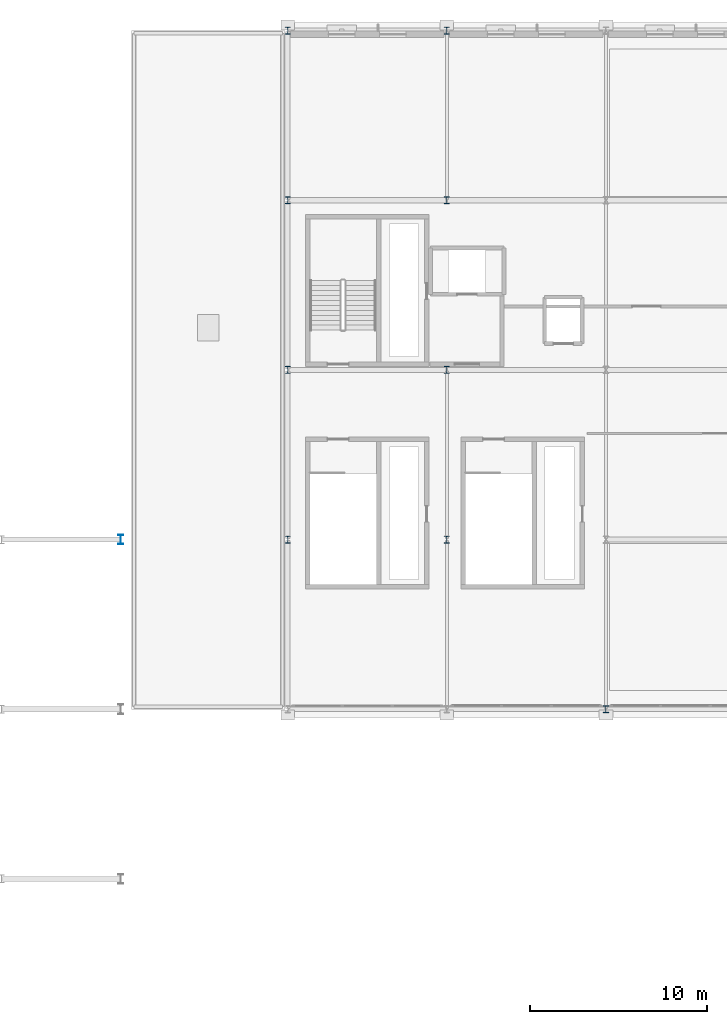
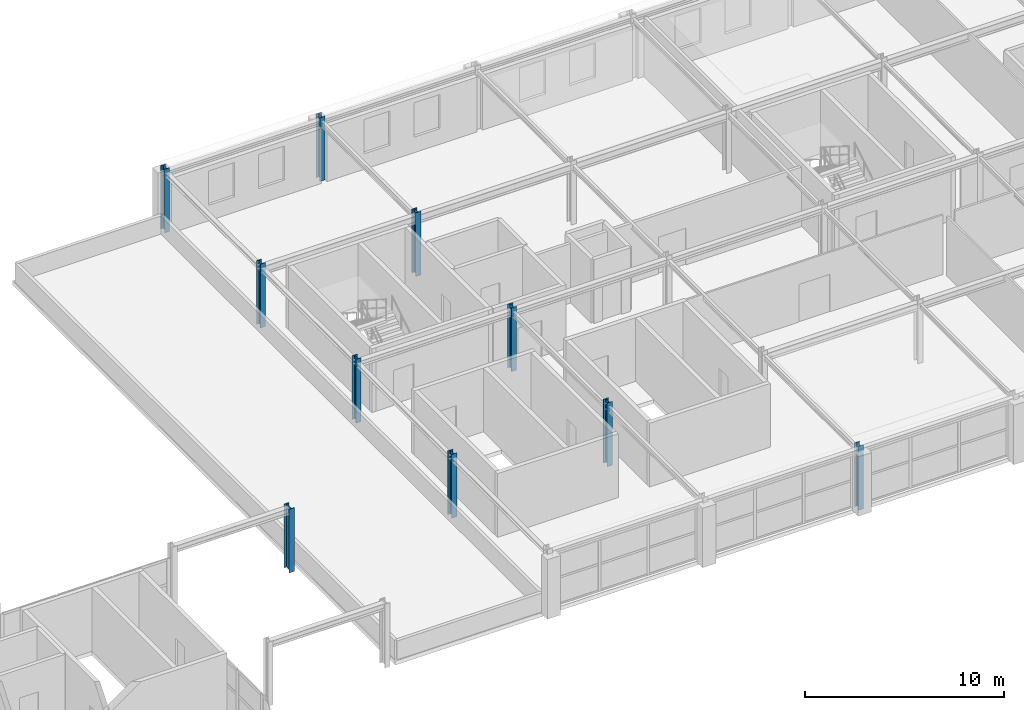
# One storey, part 10 of 52: 10 columns.
"""IFC4 building model written with IfcOpenShell, lengths in metres."""

from ifc_helpers import new_model, si_unit, direction, frame, origin, origin_2d, place, context, subcontext, project, spatial, i_section, extrude, material, material_profile, profile_set, type_object, element, save


model = new_model("IFC4")

# Units and contexts
model_context = context("Model", 3, precision=1e-05, world=origin(), true_north=direction((0.0, 1.0)))
body_context = subcontext(model_context, "Body", "Model", "MODEL_VIEW")
ifc_project = project(units=[si_unit("LENGTHUNIT", "METRE"), si_unit("AREAUNIT", "SQUARE_METRE"), si_unit("VOLUMEUNIT", "CUBIC_METRE"), si_unit("PLANEANGLEUNIT", "RADIAN"), si_unit("MASSUNIT", "GRAM", prefix="KILO")], contexts=[model_context])

# Site, building, storey
site_placement = place(None, origin())
site = spatial("IfcSite", under=ifc_project, at=site_placement, CompositionType="ELEMENT")
building_placement = place(site_placement, origin())
building = spatial("IfcBuilding", under=site, at=building_placement, Name="Myrtia Square Station", CompositionType="ELEMENT")
storey_placement = place(building_placement, frame((0.0, 0.0, 15.0)))
storey = spatial("IfcBuildingStorey", under=building, at=storey_placement, Name="L03", CompositionType="ELEMENT", Elevation=15.0)

# Columns
ifc_material = material(Name="Steel S355", Category="steel")
ifc_material_profile_1 = material_profile(ifc_material, i_section(OverallWidth=0.300048828125, OverallDepth=0.5400390625, WebThickness=0.012451171875, FlangeThickness=0.02392578125, FilletRadius=0.027099609375, at=origin_2d()), Name="HEA 550")
ifc_profile_set_1 = profile_set([ifc_material_profile_1], Name="Steel S355")
column_type_1 = type_object("IfcColumnType", Name="COL-HEA550", PredefinedType="COLUMN", material=ifc_profile_set_1)
column_placement = place(storey_placement, frame((116.550048828125, 96.0, 0.0), z_axis=(0.0, 0.0, 1.0), x_axis=(1.0, 0.0, 0.0)))
element("IfcColumn", 1, at=column_placement, inside=storey, type_object=column_type_1, Name="Column L03-0404", PredefinedType="COLUMN", context=body_context, shape_type="SweptSolid", body=[
    extrude(i_section(OverallWidth=0.300048828125, OverallDepth=0.5400390625, WebThickness=0.012451171875, FlangeThickness=0.02392578125, FilletRadius=0.027099609375, at=origin_2d()), origin(), (0.0, 0.0, 1.0), 3.89990234375),
])
ifc_material_profile_2 = material_profile(ifc_material, i_section(OverallWidth=0.300048828125, OverallDepth=0.39990234375, WebThickness=0.013427734375, FlangeThickness=0.02392578125, FilletRadius=0.027099609375, at=origin_2d()), Name="HEB 400")
ifc_profile_set_2 = profile_set([ifc_material_profile_2], Name="Steel S355")
column_type_2 = type_object("IfcColumnType", Name="COL-HEB400", PredefinedType="COLUMN", material=ifc_profile_set_2)
for number, where, z_axis, x_axis, name in (
    (2, (126.0, 96.0, 0.0), (0.0, 0.0, 1.0), (1.0, 0.0, 0.0), "Column L03-0789"),
    (3, (126.0, 105.60009765625, 0.0), (0.0, 0.0, 1.0), (1.0, 0.0, 0.0), "Column L03-0795"),
    (4, (126.0, 115.199951171875, 0.0), (0.0, 0.0, 1.0), (1.0, 0.0, 0.0), "Column L03-0801"),
    (5, (126.0, 124.800048828125, 0.0), (0.0, 0.0, 1.0), (1.0, 0.0, 0.0), "Column L03-0807"),
    (6, (135.0, 96.0, 0.0), (0.0, 0.0, 1.0), (1.0, 0.0, 0.0), "Column L03-0819"),
    (7, (135.0, 105.60009765625, 0.0), (0.0, 0.0, 1.0), (1.0, 0.0, 0.0), "Column L03-0825"),
    (8, (135.0, 115.199951171875, 0.0), (0.0, 0.0, 1.0), (1.0, 0.0, 0.0), "Column L03-0831"),
    (9, (135.0, 124.800048828125, 0.0), (0.0, 0.0, 1.0), (1.0, 0.0, 0.0), "Column L03-0837"),
    (10, (144.0, 86.39990234375, 0.0), (0.0, 0.0, 1.0), (1.0, 0.0, 0.0), "Column L03-0843"),
):
    element("IfcColumn", number, at=place(storey_placement, frame(where, z_axis=z_axis, x_axis=x_axis)), inside=storey, type_object=column_type_2, Name=name, PredefinedType="COLUMN", context=body_context, shape_type="SweptSolid", body=[
        extrude(i_section(OverallWidth=0.300048828125, OverallDepth=0.39990234375, WebThickness=0.013427734375, FlangeThickness=0.02392578125, FilletRadius=0.027099609375, at=origin_2d()), origin(), (0.0, 0.0, 1.0), 3.89990234375),
    ])

save(model, "model.ifc")
